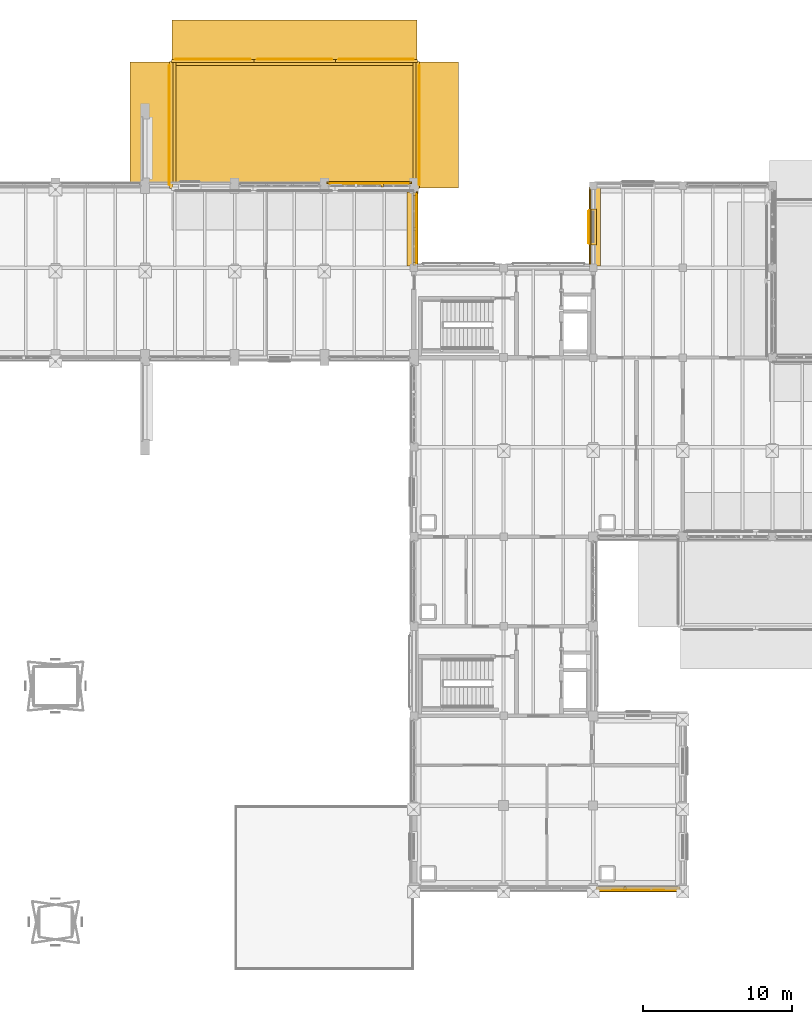
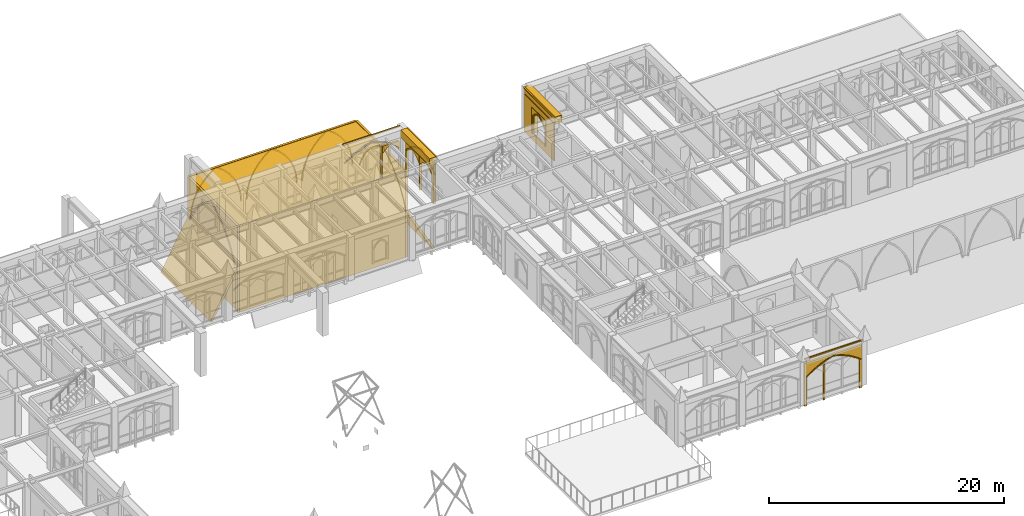
# One storey, part 135 of 143: 34 coverings.
"""IFC4 building model written with IfcOpenShell, lengths in metres."""

from ifc_helpers import new_model, si_unit, direction, frame, origin, origin_2d, place, context, subcontext, project, spatial, polyline, rectangle, outline, extrude, material, type_object, element, save


model = new_model("IFC4")

# Units and contexts
model_context = context("Model", 3, precision=1e-05, world=origin(), true_north=direction((0.0, 1.0)))
body_context = subcontext(model_context, "Body", "Model", "MODEL_VIEW")
ifc_project = project(units=[si_unit("LENGTHUNIT", "METRE"), si_unit("AREAUNIT", "SQUARE_METRE"), si_unit("VOLUMEUNIT", "CUBIC_METRE"), si_unit("PLANEANGLEUNIT", "RADIAN"), si_unit("MASSUNIT", "GRAM", prefix="KILO")], contexts=[model_context])

# Site, building, storey
site_placement = place(None, origin())
site = spatial("IfcSite", under=ifc_project, at=site_placement, CompositionType="ELEMENT")
building_placement = place(site_placement, origin())
building = spatial("IfcBuilding", under=site, at=building_placement, Name="Cumevento Cable Car Station", CompositionType="ELEMENT")
storey_placement = place(building_placement, frame((0.0, 0.0, 9.0)))
storey = spatial("IfcBuildingStorey", under=building, at=storey_placement, Name="L03", CompositionType="ELEMENT", Elevation=9.0)

# Coverings
ifc_material = material(Name="Gnaisse Facoidal Stone Ashlar 85 MPa", Category="masonry")
covering_type = type_object("IfcCoveringType", Name="Gnaisse Ashlar Cladding CV-CL01", PredefinedType="CLADDING", material=ifc_material)
covering_1_placement = place(storey_placement, frame((115.0, 56.70751953125, 4.402099609375), z_axis=(0.0, 0.0, 1.0), x_axis=(1.0, 0.0, 0.0)))
element("IfcCovering", 1, at=covering_1_placement, inside=storey, type_object=covering_type, Name="Gothic Cornice Dripstone Lip sc:0656", PredefinedType="CLADDING", context=body_context, shape_type="SweptSolid", body=[
    extrude(rectangle(XDim=5.679931640625, YDim=0.114990234375, at=origin_2d()), origin(), (0.0, 0.0, 1.0), 0.1298828125),
])
covering_2_placement = place(storey_placement, frame((117.85009765625, 53.612548828125, 3.784912109375), z_axis=(0.0, 0.0, 1.0), x_axis=(0.0, -1.0, 0.0)))
element("IfcCovering", 2, at=covering_2_placement, inside=storey, type_object=covering_type, Name="Gothic Stone Spandrel Stringcourse sc:0657", PredefinedType="CLADDING", context=body_context, shape_type="SweptSolid", body=[
    extrude(rectangle(XDim=4.965087890625, YDim=0.659912109375, at=origin_2d()), origin(), (0.0, 0.0, 1.0), 0.7470703125),
])
covering_3_placement = place(storey_placement, frame((118.20751953125, 53.612548828125, 4.402099609375), z_axis=(0.0, 0.0, 1.0), x_axis=(0.0, -1.0, 0.0)))
element("IfcCovering", 3, at=covering_3_placement, inside=storey, type_object=covering_type, Name="Gothic Cornice Dripstone Lip sc:0657", PredefinedType="CLADDING", context=body_context, shape_type="SweptSolid", body=[
    extrude(rectangle(XDim=5.0048828125, YDim=0.114990234375, at=origin_2d()), origin(), (0.0, 0.0, 1.0), 0.1298828125),
])
covering_4_placement = place(storey_placement, frame((133.012451171875, 9.29248046875, 4.650146484375), z_axis=(0.0, 0.0, 1.0), x_axis=(-1.0, 0.0, 0.0)))
element("IfcCovering", 4, at=covering_4_placement, inside=storey, type_object=covering_type, Name="Gothic Cornice Dripstone Lip sc:0667", PredefinedType="CLADDING", context=body_context, shape_type="SweptSolid", body=[
    extrude(rectangle(XDim=5.7548828125, YDim=0.114990234375, at=origin_2d()), origin(), (0.0, 0.0, 1.0), 0.1298828125),
])
covering_5_placement = place(storey_placement, frame((130.14990234375, 53.75, 3.796875), z_axis=(0.0, 0.0, 1.0), x_axis=(0.0, 1.0, 0.0)))
element("IfcCovering", 5, at=covering_5_placement, inside=storey, type_object=covering_type, Name="Gothic Stone Spandrel Stringcourse sc:0695", PredefinedType="CLADDING", context=body_context, shape_type="SweptSolid", body=[
    extrude(rectangle(XDim=5.239990234375, YDim=0.659912109375, at=origin_2d()), origin(), (0.0, 0.0, 1.0), 0.7470703125),
])
covering_6_placement = place(storey_placement, frame((129.79248046875, 53.75, 4.4140625), z_axis=(0.0, 0.0, 1.0), x_axis=(0.0, 1.0, 0.0)))
element("IfcCovering", 6, at=covering_6_placement, inside=storey, type_object=covering_type, Name="Gothic Cornice Dripstone Lip sc:0695", PredefinedType="CLADDING", context=body_context, shape_type="SweptSolid", body=[
    extrude(rectangle(XDim=5.280029296875, YDim=0.114990234375, at=origin_2d()), origin(), (0.0, 0.0, 1.0), 0.1298828125),
])
covering_7_placement = place(storey_placement, frame((112.300048828125, 56.5, 2.572509765625), z_axis=(0.0, 0.0, 1.0), x_axis=(1.0, 0.0, 0.0)))
element("IfcCovering", 7, at=covering_7_placement, inside=storey, type_object=covering_type, Name="Gothic Pointed Archivolt Hood Moulding cw_ogival:0115", PredefinedType="CLADDING", context=body_context, shape_type="SweptSolid", body=[
    extrude(outline(polyline([(0.159912109375, 0.0), (0.4501953125, 0.197265625), (0.74951171875, 0.38037109375), (1.057373046875, 0.54833984375), (1.373291015625, 0.701171875), (1.6962890625, 0.838134765625), (2.025634765625, 0.95947265625), (2.3603515625, 1.064208984375), (2.699951171875, 1.152587890625), (3.03955078125, 1.064208984375), (3.374267578125, 0.95947265625), (3.70361328125, 0.838134765625), (4.026611328125, 0.701171875), (4.342529296875, 0.54833984375), (4.650390625, 0.38037109375), (4.94970703125, 0.197265625), (5.239990234375, 0.0), (5.35009765625, 0.0), (5.05126953125, 0.22021484375), (4.741455078125, 0.424560546875), (4.421630859375, 0.612548828125), (4.09228515625, 0.78369140625), (3.754638671875, 0.937255859375), (3.409423828125, 1.0732421875), (3.057373046875, 1.19091796875), (2.699951171875, 1.2900390625), (2.342529296875, 1.19091796875), (1.990478515625, 1.0732421875), (1.645263671875, 0.937255859375), (1.3076171875, 0.78369140625), (0.978271484375, 0.612548828125), (0.658447265625, 0.424560546875), (0.3486328125, 0.22021484375), (0.050048828125, 0.0), (0.159912109375, 0.0)])), frame((0.0, 0.181884765625, 0.0), z_axis=(0.0, -1.0, 0.0), x_axis=(1.0, 0.0, 0.0)), (0.0, 0.0, 1.0), 0.06689453125),
])
covering_8_placement = place(storey_placement, frame((112.300048828125, 56.5, -0.3701171875), z_axis=(0.0, 0.0, 1.0), x_axis=(1.0, 0.0, 0.0)))
element("IfcCovering", 8, at=covering_8_placement, inside=storey, type_object=covering_type, Name="Gothic Bifora Stone Colonnette cw_ogival:0115 #2", PredefinedType="CLADDING", context=body_context, shape_type="SweptSolid", body=[
    extrude(outline(polyline([(3.49658203125, -0.02001953125), (3.646728515625, -0.02001953125), (3.646728515625, 3.541748046875), (3.49658203125, 3.541748046875), (3.49658203125, -0.02001953125)])), frame((0.0, 0.1279296875, 0.0), z_axis=(0.0, -1.0, 0.0), x_axis=(1.0, 0.0, 0.0)), (0.0, 0.0, 1.0), 0.205078125),
])
covering_9_placement = place(storey_placement, frame((115.916748046875, 56.5, 2.392333984375), z_axis=(0.0, 0.0, 1.0), x_axis=(1.0, 0.0, 0.0)))
element("IfcCovering", 9, at=covering_9_placement, inside=storey, type_object=covering_type, Name="Gothic Ogival Pointed-Arch Stone Spandrel cw_ogival:0115:sub:2", PredefinedType="CLADDING", context=body_context, shape_type="SweptSolid", body=[
    extrude(outline(polyline([(-0.02001953125, 0.0), (-0.02001953125, 0.779296875), (1.67333984375, 0.779296875), (1.67333984375, 0.0), (1.61328125, 0.0), (1.51416015625, 0.14306640625), (1.400390625, 0.274658203125), (1.2734375, 0.393310546875), (1.13427734375, 0.497802734375), (0.98486328125, 0.5869140625), (0.82666015625, 0.659423828125), (0.66845703125, 0.5869140625), (0.51904296875, 0.497802734375), (0.3798828125, 0.393310546875), (0.2529296875, 0.274658203125), (0.13916015625, 0.14306640625), (0.0400390625, 0.0), (-0.02001953125, 0.0)])), frame((0.0, 0.1240234375, 0.0), z_axis=(0.0, -1.0, 0.0), x_axis=(1.0, 0.0, 0.0)), (0.0, 0.0, 1.0), 0.199951171875),
])
placement_1 = place(storey_placement, frame((118.0, 55.97509765625, -0.320068359375), z_axis=(0.0, 0.0, 1.0), x_axis=(0.0, -1.0, 0.0)))
element("IfcCovering", 10, at=placement_1, inside=storey, type_object=covering_type, Name="Gothic Ogival Pointed-Arch Stone Spandrel cw_ogival:0116", PredefinedType="CLADDING", context=body_context, shape_type="SweptSolid", body=[
    extrude(outline(polyline([(-0.080078125, 0.0), (-0.080078125, 4.2451171875), (4.804931640625, 4.2451171875), (4.804931640625, 0.0), (4.56494140625, 0.0), (4.56494140625, 2.910400390625), (4.31982421875, 3.103515625), (4.064453125, 3.282958984375), (3.799560546875, 3.4482421875), (3.526123046875, 3.5986328125), (3.244873046875, 3.73388671875), (2.95654296875, 3.853759765625), (2.662109375, 3.95751953125), (2.362548828125, 4.044921875), (2.06298828125, 3.95751953125), (1.7685546875, 3.853759765625), (1.480224609375, 3.73388671875), (1.198974609375, 3.5986328125), (0.925537109375, 3.4482421875), (0.66064453125, 3.282958984375), (0.4052734375, 3.103515625), (0.159912109375, 2.910400390625), (0.159912109375, 0.0), (-0.080078125, 0.0)])), frame((0.0, 0.139892578125, 0.0), z_axis=(0.0, -1.0, 0.0), x_axis=(1.0, 0.0, 0.0)), (0.0, 0.0, 1.0), 0.219970703125),
])
covering_11_placement = place(storey_placement, frame((118.0, 55.97509765625, 2.59033203125), z_axis=(0.0, 0.0, 1.0), x_axis=(0.0, -1.0, 0.0)))
element("IfcCovering", 11, at=covering_11_placement, inside=storey, type_object=covering_type, Name="Gothic Pointed Archivolt Hood Moulding cw_ogival:0116", PredefinedType="CLADDING", context=body_context, shape_type="SweptSolid", body=[
    extrude(outline(polyline([(0.159912109375, 0.0), (0.4052734375, 0.193115234375), (0.66064453125, 0.37255859375), (0.925537109375, 0.537841796875), (1.198974609375, 0.688232421875), (1.480224609375, 0.823486328125), (1.7685546875, 0.943359375), (2.06298828125, 1.047119140625), (2.362548828125, 1.134521484375), (2.662109375, 1.047119140625), (2.95654296875, 0.943359375), (3.244873046875, 0.823486328125), (3.526123046875, 0.688232421875), (3.799560546875, 0.537841796875), (4.064453125, 0.37255859375), (4.31982421875, 0.193115234375), (4.56494140625, 0.0), (4.675048828125, 0.0), (4.421630859375, 0.2158203125), (4.15625, 0.41650390625), (3.879638671875, 0.6015625), (3.5927734375, 0.7705078125), (3.296630859375, 0.92236328125), (2.9921875, 1.056884765625), (2.680419921875, 1.173583984375), (2.362548828125, 1.272216796875), (2.044677734375, 1.173583984375), (1.73291015625, 1.056884765625), (1.428466796875, 0.92236328125), (1.13232421875, 0.7705078125), (0.845458984375, 0.6015625), (0.56884765625, 0.41650390625), (0.303466796875, 0.2158203125), (0.050048828125, 0.0), (0.159912109375, 0.0)])), frame((0.0, 0.181884765625, 0.0), z_axis=(0.0, -1.0, 0.0), x_axis=(1.0, 0.0, 0.0)), (0.0, 0.0, 1.0), 0.06689453125),
])
element("IfcCovering", 12, at=placement_1, inside=storey, type_object=covering_type, Name="Gothic Bifora Stone Colonnette cw_ogival:0116 #1", PredefinedType="CLADDING", context=body_context, shape_type="SweptSolid", body=[
    extrude(outline(polyline([(2.28759765625, -0.02001953125), (2.4375, -0.02001953125), (2.4375, 3.50048828125), (2.28759765625, 3.50048828125), (2.28759765625, -0.02001953125)])), frame((0.0, 0.1279296875, 0.0), z_axis=(0.0, -1.0, 0.0), x_axis=(1.0, 0.0, 0.0)), (0.0, 0.0, 1.0), 0.205078125),
])
for number, where, z_axis, x_axis, name in (
    (13, (118.0, 55.844970703125, 2.410400390625), (0.0, 0.0, 1.0), (0.0, -1.0, 0.0), "Gothic Ogival Pointed-Arch Stone Spandrel cw_ogival:0116:sub:0"),
    (14, (118.0, 53.5673828125, 2.410400390625), (0.0, 0.0, 1.0), (0.0, -1.0, 0.0), "Gothic Ogival Pointed-Arch Stone Spandrel cw_ogival:0116:sub:1"),
):
    element("IfcCovering", number, at=place(storey_placement, frame(where, z_axis=z_axis, x_axis=x_axis)), inside=storey, type_object=covering_type, Name=name, PredefinedType="CLADDING", context=body_context, shape_type="SweptSolid", body=[
        extrude(outline(polyline([(-0.02001953125, 0.0), (-0.02001953125, 0.77001953125), (2.20751953125, 0.77001953125), (2.20751953125, 0.0), (2.1474609375, 0.0), (1.9970703125, 0.144287109375), (1.8349609375, 0.275390625), (1.662109375, 0.392333984375), (1.480224609375, 0.494140625), (1.290283203125, 0.580322265625), (1.09375, 0.64990234375), (0.897216796875, 0.580322265625), (0.707275390625, 0.494140625), (0.525390625, 0.392333984375), (0.3525390625, 0.275390625), (0.1904296875, 0.144287109375), (0.0400390625, 0.0), (-0.02001953125, 0.0)])), frame((0.0, 0.1240234375, 0.0), z_axis=(0.0, -1.0, 0.0), x_axis=(1.0, 0.0, 0.0)), (0.0, 0.0, 1.0), 0.199951171875),
    ])
placement_2 = place(storey_placement, frame((135.75, 9.5, -0.27001953125), z_axis=(0.0, 0.0, 1.0), x_axis=(-1.0, 0.0, 0.0)))
element("IfcCovering", 15, at=placement_2, inside=storey, type_object=covering_type, Name="Gothic Ogival Pointed-Arch Stone Spandrel cw_ogival:0125", PredefinedType="CLADDING", context=body_context, shape_type="SweptSolid", body=[
    extrude(outline(polyline([(-0.080078125, 0.0), (-0.080078125, 4.443115234375), (5.554931640625, 4.443115234375), (5.554931640625, 0.0), (5.31494140625, 0.0), (5.31494140625, 3.037109375), (5.0224609375, 3.243408203125), (4.7197265625, 3.4345703125), (4.40771484375, 3.6103515625), (4.087158203125, 3.770263671875), (3.75927734375, 3.913818359375), (3.42431640625, 4.04052734375), (3.08349609375, 4.150390625), (2.737548828125, 4.242919921875), (2.3916015625, 4.150390625), (2.05078125, 4.04052734375), (1.7158203125, 3.913818359375), (1.387939453125, 3.770263671875), (1.0673828125, 3.6103515625), (0.75537109375, 3.4345703125), (0.45263671875, 3.243408203125), (0.159912109375, 3.037109375), (0.159912109375, 0.0), (-0.080078125, 0.0)])), frame((0.0, 0.139892578125, 0.0), z_axis=(0.0, -1.0, 0.0), x_axis=(1.0, 0.0, 0.0)), (0.0, 0.0, 1.0), 0.219970703125),
])
covering_14_placement = place(storey_placement, frame((135.75, 9.5, 2.76708984375), z_axis=(0.0, 0.0, 1.0), x_axis=(-1.0, 0.0, 0.0)))
element("IfcCovering", 16, at=covering_14_placement, inside=storey, type_object=covering_type, Name="Gothic Pointed Archivolt Hood Moulding cw_ogival:0125", PredefinedType="CLADDING", context=body_context, shape_type="SweptSolid", body=[
    extrude(outline(polyline([(0.159912109375, 0.0), (0.45263671875, 0.206298828125), (0.75537109375, 0.3974609375), (1.0673828125, 0.5732421875), (1.387939453125, 0.733154296875), (1.7158203125, 0.876708984375), (2.05078125, 1.00341796875), (2.3916015625, 1.11328125), (2.737548828125, 1.205810546875), (3.08349609375, 1.11328125), (3.42431640625, 1.00341796875), (3.75927734375, 0.876708984375), (4.087158203125, 0.733154296875), (4.40771484375, 0.5732421875), (4.7197265625, 0.3974609375), (5.0224609375, 0.206298828125), (5.31494140625, 0.0), (5.425048828125, 0.0), (5.123779296875, 0.22900390625), (4.81103515625, 0.441650390625), (4.487060546875, 0.637451171875), (4.1533203125, 0.8154296875), (3.810302734375, 0.9755859375), (3.45947265625, 1.1171875), (3.1015625, 1.239990234375), (2.737548828125, 1.343505859375), (2.37353515625, 1.239990234375), (2.015625, 1.1171875), (1.664794921875, 0.9755859375), (1.32177734375, 0.8154296875), (0.988037109375, 0.637451171875), (0.6640625, 0.441650390625), (0.351318359375, 0.22900390625), (0.050048828125, 0.0), (0.159912109375, 0.0)])), frame((0.0, 0.181884765625, 0.0), z_axis=(0.0, -1.0, 0.0), x_axis=(1.0, 0.0, 0.0)), (0.0, 0.0, 1.0), 0.06689453125),
])
element("IfcCovering", 17, at=placement_2, inside=storey, type_object=covering_type, Name="Gothic Bifora Stone Colonnette cw_ogival:0125 #2", PredefinedType="CLADDING", context=body_context, shape_type="SweptSolid", body=[
    extrude(outline(polyline([(3.546630859375, -0.02001953125), (3.69677734375, -0.02001953125), (3.69677734375, 3.664306640625), (3.546630859375, 3.664306640625), (3.546630859375, -0.02001953125)])), frame((0.0, 0.1279296875, 0.0), z_axis=(0.0, -1.0, 0.0), x_axis=(1.0, 0.0, 0.0)), (0.0, 0.0, 1.0), 0.205078125),
])
covering_16_placement = place(storey_placement, frame((130.0, 51.25, 0.0), z_axis=(0.0, 0.0, 1.0), x_axis=(0.0, 1.0, 0.0)))
element("IfcCovering", 18, at=covering_16_placement, inside=storey, type_object=covering_type, Name="Exterior Gnaisse Stone Wall Ashlar #262", PredefinedType="CLADDING", context=body_context, shape_type="SweptSolid", body=[
    extrude(outline(polyline([(-0.0400390625, -0.02001953125), (5.0400390625, -0.02001953125), (5.0400390625, 3.876953125), (-0.0400390625, 3.876953125), (-0.0400390625, -0.02001953125)]), holes=[polyline([(1.485107421875, 0.7099609375), (3.514892578125, 0.7099609375), (3.514892578125, 3.090087890625), (1.485107421875, 3.090087890625), (1.485107421875, 0.7099609375)])]), frame((0.0, 0.2451171875, 0.0), z_axis=(0.0, -1.0, 0.0), x_axis=(1.0, 0.0, 0.0)), (0.0, 0.0, 1.0), 0.0849609375),
])
covering_17_placement = place(storey_placement, frame((130.0, 52.5849609375, 0.64990234375), z_axis=(0.0, 0.0, 1.0), x_axis=(0.0, 1.0, 0.0)))
element("IfcCovering", 19, at=covering_17_placement, inside=storey, type_object=covering_type, Name="Gothic Ogival Pointed-Arch Stone Spandrel op_ogival:0262:1", PredefinedType="CLADDING", context=body_context, shape_type="SweptSolid", body=[
    extrude(outline(polyline([(-0.0400390625, 0.0), (-0.0400390625, 2.669921875), (2.3701171875, 2.669921875), (2.3701171875, 0.0), (2.18994140625, 0.0), (2.18994140625, 1.778076171875), (2.0703125, 1.913330078125), (1.9404296875, 2.03857421875), (1.80078125, 2.153076171875), (1.65234375, 2.256103515625), (1.496337890625, 2.3466796875), (1.33349609375, 2.425048828125), (1.1650390625, 2.489990234375), (0.99658203125, 2.425048828125), (0.833740234375, 2.3466796875), (0.677734375, 2.256103515625), (0.529296875, 2.153076171875), (0.3896484375, 2.03857421875), (0.259765625, 1.913330078125), (0.139892578125, 1.778076171875), (0.139892578125, 0.0), (-0.0400390625, 0.0)])), frame((0.0, 0.282958984375, 0.0), z_axis=(0.0, -1.0, 0.0), x_axis=(1.0, 0.0, 0.0)), (0.0, 0.0, 1.0), 0.52001953125),
])
covering_18_placement = place(storey_placement, frame((130.0, 52.5849609375, 2.427978515625), z_axis=(0.0, 0.0, 1.0), x_axis=(0.0, 1.0, 0.0)))
element("IfcCovering", 20, at=covering_18_placement, inside=storey, type_object=covering_type, Name="Gothic Pointed Archivolt Hood Moulding op_ogival:0262:1", PredefinedType="CLADDING", context=body_context, shape_type="SweptSolid", body=[
    extrude(outline(polyline([(0.139892578125, 0.0), (0.259765625, 0.13525390625), (0.3896484375, 0.260498046875), (0.529296875, 0.375), (0.677734375, 0.47802734375), (0.833740234375, 0.56884765625), (0.99658203125, 0.64697265625), (1.1650390625, 0.7119140625), (1.33349609375, 0.64697265625), (1.496337890625, 0.56884765625), (1.65234375, 0.47802734375), (1.80078125, 0.375), (1.9404296875, 0.260498046875), (2.0703125, 0.13525390625), (2.18994140625, 0.0), (2.2890625, 0.0), (2.16162109375, 0.157958984375), (2.021240234375, 0.304443359375), (1.869140625, 0.43896484375), (1.706298828125, 0.56005859375), (1.533935546875, 0.6669921875), (1.35302734375, 0.759033203125), (1.1650390625, 0.835693359375), (0.97705078125, 0.759033203125), (0.796142578125, 0.6669921875), (0.623779296875, 0.56005859375), (0.4609375, 0.43896484375), (0.308837890625, 0.304443359375), (0.16845703125, 0.157958984375), (0.041015625, 0.0), (0.139892578125, 0.0)])), frame((0.0, 0.324951171875, 0.0), z_axis=(0.0, -1.0, 0.0), x_axis=(1.0, 0.0, 0.0)), (0.0, 0.0, 1.0), 0.06689453125),
])
covering_19_placement = place(storey_placement, frame((0.0, 0.0, -9.080078125)))
element("IfcCovering", 21, at=covering_19_placement, inside=storey, type_object=covering_type, Name="Stepped Gnaisse Hillside Terrain Shoulder SLOPE_NE_E.1", PredefinedType="CLADDING", context=body_context, shape_type="SweptSolid", body=[
    extrude(outline(polyline([(101.800048828125, 56.35009765625), (101.800048828125, 64.800048828125), (118.199951171875, 64.800048828125), (118.199951171875, 56.35009765625), (101.800048828125, 56.35009765625)])), origin(), (0.0, 0.0, 1.0), 9.02001953125),
])
covering_20_placement = place(storey_placement, frame((118.199951171875, 64.800048828125, -9.02001953125), z_axis=(0.0, 0.0, 1.0), x_axis=(0.0, -1.0, 0.0)))
element("IfcCovering", 22, at=covering_20_placement, inside=storey, type_object=covering_type, Name="Gothic Ogival Pointed-Arch Stone Spandrel cumevento_plinth:bank_arch:SLOPE_NE_E:E:0", PredefinedType="CLADDING", context=body_context, shape_type="SweptSolid", body=[
    extrude(outline(polyline([(-0.030029296875, 0.0), (-0.030029296875, 8.97998046875), (8.47998046875, 8.97998046875), (8.47998046875, 0.0), (8.1298828125, 0.0), (8.1298828125, 4.47998046875), (7.725830078125, 5.382568359375), (7.210205078125, 6.226318359375), (6.591552734375, 6.997802734375), (5.8798828125, 7.6845703125), (5.086669921875, 8.27490234375), (4.22509765625, 8.760009765625), (3.36328125, 8.27490234375), (2.570068359375, 7.6845703125), (1.8583984375, 6.997802734375), (1.23974609375, 6.226318359375), (0.72412109375, 5.382568359375), (0.320068359375, 4.47998046875), (0.320068359375, 0.0), (-0.030029296875, 0.0)])), frame((0.0, 0.159912109375, 0.0), z_axis=(0.0, -1.0, 0.0), x_axis=(1.0, 0.0, 0.0)), (0.0, 0.0, 1.0), 0.219970703125),
])
covering_21_placement = place(storey_placement, frame((118.199951171875, 64.800048828125, -4.5400390625), z_axis=(0.0, 0.0, 1.0), x_axis=(0.0, -1.0, 0.0)))
element("IfcCovering", 23, at=covering_21_placement, inside=storey, type_object=covering_type, Name="Gothic Pointed Archivolt Hood Moulding cumevento_plinth:bank_arch:SLOPE_NE_E:E:0", PredefinedType="CLADDING", context=body_context, shape_type="SweptSolid", body=[
    extrude(outline(polyline([(0.320068359375, 0.0), (0.72412109375, 0.902587890625), (1.23974609375, 1.746337890625), (1.8583984375, 2.517822265625), (2.570068359375, 3.20458984375), (3.36328125, 3.794921875), (4.22509765625, 4.280029296875), (5.086669921875, 3.794921875), (5.8798828125, 3.20458984375), (6.591552734375, 2.517822265625), (7.210205078125, 1.746337890625), (7.725830078125, 0.902587890625), (8.1298828125, 0.0), (8.2509765625, 0.0), (7.8359375, 0.93408203125), (7.305419921875, 1.807373046875), (6.66796875, 2.606201171875), (5.933837890625, 3.317138671875), (5.114990234375, 3.928955078125), (4.22509765625, 4.43115234375), (3.3349609375, 3.928955078125), (2.51611328125, 3.317138671875), (1.781982421875, 2.606201171875), (1.14453125, 1.807373046875), (0.614013671875, 0.93408203125), (0.198974609375, 0.0), (0.320068359375, 0.0)])), frame((0.0, 0.201904296875, 0.0), z_axis=(0.0, -1.0, 0.0), x_axis=(1.0, 0.0, 0.0)), (0.0, 0.0, 1.0), 0.06689453125),
])
covering_22_placement = place(storey_placement, frame((121.0, 56.35009765625, -9.0400390625), z_axis=(0.876739812589, 0.0, 0.480964968601), x_axis=(0.0, 1.0, 0.0)))
element("IfcCovering", 24, at=covering_22_placement, inside=storey, type_object=covering_type, Name="Sloped Gnaisse Hillside Talus SLOPE_NE_E E", PredefinedType="CLADDING", context=body_context, shape_type="SweptSolid", body=[
    extrude(outline(polyline([(0.0, 0.0), (8.449951171875, 0.0), (8.449951171875, 5.946602369384605), (0.0, 5.946602369384605), (0.0, 0.0)])), origin(), (0.0, 0.0, -1.0), 0.219970703125),
])
covering_23_placement = place(storey_placement, frame((112.7333984375, 64.800048828125, -9.02001953125), z_axis=(0.0, 0.0, 1.0), x_axis=(1.0, 0.0, 0.0)))
element("IfcCovering", 25, at=covering_23_placement, inside=storey, type_object=covering_type, Name="Gothic Ogival Pointed-Arch Stone Spandrel cumevento_plinth:bank_arch:SLOPE_NE_E:N:0", PredefinedType="CLADDING", context=body_context, shape_type="SweptSolid", body=[
    extrude(outline(polyline([(-0.030029296875, 0.0), (-0.030029296875, 8.97998046875), (5.49658203125, 8.97998046875), (5.49658203125, 0.0), (5.146728515625, 0.0), (5.146728515625, 4.47998046875), (5.073486328125, 5.331787109375), (4.8564453125, 6.158935546875), (4.501708984375, 6.936767578125), (4.01953125, 7.642822265625), (3.42431640625, 8.256591796875), (2.7333984375, 8.760009765625), (2.042236328125, 8.256591796875), (1.447021484375, 7.642822265625), (0.96484375, 6.936767578125), (0.610107421875, 6.158935546875), (0.39306640625, 5.331787109375), (0.320068359375, 4.47998046875), (0.320068359375, 0.0), (-0.030029296875, 0.0)])), frame((0.0, 0.159912109375, 0.0), z_axis=(0.0, -1.0, 0.0), x_axis=(1.0, 0.0, 0.0)), (0.0, 0.0, 1.0), 0.219970703125),
])
covering_24_placement = place(storey_placement, frame((112.7333984375, 64.800048828125, -4.5400390625), z_axis=(0.0, 0.0, 1.0), x_axis=(1.0, 0.0, 0.0)))
element("IfcCovering", 26, at=covering_24_placement, inside=storey, type_object=covering_type, Name="Gothic Pointed Archivolt Hood Moulding cumevento_plinth:bank_arch:SLOPE_NE_E:N:0", PredefinedType="CLADDING", context=body_context, shape_type="SweptSolid", body=[
    extrude(outline(polyline([(0.320068359375, 0.0), (0.39306640625, 0.851806640625), (0.610107421875, 1.678955078125), (0.96484375, 2.456787109375), (1.447021484375, 3.162841796875), (2.042236328125, 3.776611328125), (2.7333984375, 4.280029296875), (3.42431640625, 3.776611328125), (4.01953125, 3.162841796875), (4.501708984375, 2.456787109375), (4.8564453125, 1.678955078125), (5.073486328125, 0.851806640625), (5.146728515625, 0.0), (5.267578125, 0.0), (5.190673828125, 0.885986328125), (4.962158203125, 1.7451171875), (4.589111328125, 2.552490234375), (4.082763671875, 3.283203125), (3.457763671875, 3.915771484375), (2.7333984375, 4.43115234375), (2.0087890625, 3.915771484375), (1.3837890625, 3.283203125), (0.87744140625, 2.552490234375), (0.50439453125, 1.7451171875), (0.27587890625, 0.885986328125), (0.198974609375, 0.0), (0.320068359375, 0.0)])), frame((0.0, 0.201904296875, 0.0), z_axis=(0.0, -1.0, 0.0), x_axis=(1.0, 0.0, 0.0)), (0.0, 0.0, 1.0), 0.06689453125),
])
covering_25_placement = place(storey_placement, frame((107.2666015625, 64.800048828125, -9.02001953125), z_axis=(0.0, 0.0, 1.0), x_axis=(1.0, 0.0, 0.0)))
element("IfcCovering", 27, at=covering_25_placement, inside=storey, type_object=covering_type, Name="Gothic Ogival Pointed-Arch Stone Spandrel cumevento_plinth:bank_arch:SLOPE_NE_E:N:1", PredefinedType="CLADDING", context=body_context, shape_type="SweptSolid", body=[
    extrude(outline(polyline([(-0.030029296875, 0.0), (-0.030029296875, 8.97998046875), (5.49658203125, 8.97998046875), (5.49658203125, 0.0), (5.146728515625, 0.0), (5.146728515625, 4.47998046875), (5.073486328125, 5.331787109375), (4.8564453125, 6.158935546875), (4.501708984375, 6.936767578125), (4.01953125, 7.642822265625), (3.42431640625, 8.256591796875), (2.7333984375, 8.760009765625), (2.042236328125, 8.256591796875), (1.447021484375, 7.642822265625), (0.96484375, 6.936767578125), (0.610107421875, 6.158935546875), (0.39306640625, 5.331787109375), (0.320068359375, 4.47998046875), (0.320068359375, 0.0), (-0.030029296875, 0.0)])), frame((0.0, 0.159912109375, 0.0), z_axis=(0.0, -1.0, 0.0), x_axis=(1.0, 0.0, 0.0)), (0.0, 0.0, 1.0), 0.219970703125),
])
covering_26_placement = place(storey_placement, frame((107.2666015625, 64.800048828125, -4.5400390625), z_axis=(0.0, 0.0, 1.0), x_axis=(1.0, 0.0, 0.0)))
element("IfcCovering", 28, at=covering_26_placement, inside=storey, type_object=covering_type, Name="Gothic Pointed Archivolt Hood Moulding cumevento_plinth:bank_arch:SLOPE_NE_E:N:1", PredefinedType="CLADDING", context=body_context, shape_type="SweptSolid", body=[
    extrude(outline(polyline([(0.320068359375, 0.0), (0.39306640625, 0.851806640625), (0.610107421875, 1.678955078125), (0.96484375, 2.456787109375), (1.447021484375, 3.162841796875), (2.042236328125, 3.776611328125), (2.7333984375, 4.280029296875), (3.42431640625, 3.776611328125), (4.01953125, 3.162841796875), (4.501708984375, 2.456787109375), (4.8564453125, 1.678955078125), (5.073486328125, 0.851806640625), (5.146728515625, 0.0), (5.267578125, 0.0), (5.190673828125, 0.885986328125), (4.962158203125, 1.7451171875), (4.589111328125, 2.552490234375), (4.082763671875, 3.283203125), (3.457763671875, 3.915771484375), (2.7333984375, 4.43115234375), (2.0087890625, 3.915771484375), (1.3837890625, 3.283203125), (0.87744140625, 2.552490234375), (0.50439453125, 1.7451171875), (0.27587890625, 0.885986328125), (0.198974609375, 0.0), (0.320068359375, 0.0)])), frame((0.0, 0.201904296875, 0.0), z_axis=(0.0, -1.0, 0.0), x_axis=(1.0, 0.0, 0.0)), (0.0, 0.0, 1.0), 0.06689453125),
])
covering_27_placement = place(storey_placement, frame((101.800048828125, 64.800048828125, -9.02001953125), z_axis=(0.0, 0.0, 1.0), x_axis=(1.0, 0.0, 0.0)))
element("IfcCovering", 29, at=covering_27_placement, inside=storey, type_object=covering_type, Name="Gothic Ogival Pointed-Arch Stone Spandrel cumevento_plinth:bank_arch:SLOPE_NE_E:N:2", PredefinedType="CLADDING", context=body_context, shape_type="SweptSolid", body=[
    extrude(outline(polyline([(-0.030029296875, 0.0), (-0.030029296875, 8.97998046875), (5.49658203125, 8.97998046875), (5.49658203125, 0.0), (5.146728515625, 0.0), (5.146728515625, 4.47998046875), (5.073486328125, 5.331787109375), (4.8564453125, 6.158935546875), (4.501708984375, 6.936767578125), (4.01953125, 7.642822265625), (3.42431640625, 8.256591796875), (2.7333984375, 8.760009765625), (2.042236328125, 8.256591796875), (1.447021484375, 7.642822265625), (0.96484375, 6.936767578125), (0.610107421875, 6.158935546875), (0.39306640625, 5.331787109375), (0.320068359375, 4.47998046875), (0.320068359375, 0.0), (-0.030029296875, 0.0)])), frame((0.0, 0.159912109375, 0.0), z_axis=(0.0, -1.0, 0.0), x_axis=(1.0, 0.0, 0.0)), (0.0, 0.0, 1.0), 0.219970703125),
])
covering_28_placement = place(storey_placement, frame((101.800048828125, 64.800048828125, -4.5400390625), z_axis=(0.0, 0.0, 1.0), x_axis=(1.0, 0.0, 0.0)))
element("IfcCovering", 30, at=covering_28_placement, inside=storey, type_object=covering_type, Name="Gothic Pointed Archivolt Hood Moulding cumevento_plinth:bank_arch:SLOPE_NE_E:N:2", PredefinedType="CLADDING", context=body_context, shape_type="SweptSolid", body=[
    extrude(outline(polyline([(0.320068359375, 0.0), (0.39306640625, 0.851806640625), (0.610107421875, 1.678955078125), (0.96484375, 2.456787109375), (1.447021484375, 3.162841796875), (2.042236328125, 3.776611328125), (2.7333984375, 4.280029296875), (3.42431640625, 3.776611328125), (4.01953125, 3.162841796875), (4.501708984375, 2.456787109375), (4.8564453125, 1.678955078125), (5.073486328125, 0.851806640625), (5.146728515625, 0.0), (5.267578125, 0.0), (5.190673828125, 0.885986328125), (4.962158203125, 1.7451171875), (4.589111328125, 2.552490234375), (4.082763671875, 3.283203125), (3.457763671875, 3.915771484375), (2.7333984375, 4.43115234375), (2.0087890625, 3.915771484375), (1.3837890625, 3.283203125), (0.87744140625, 2.552490234375), (0.50439453125, 1.7451171875), (0.27587890625, 0.885986328125), (0.198974609375, 0.0), (0.320068359375, 0.0)])), frame((0.0, 0.201904296875, 0.0), z_axis=(0.0, -1.0, 0.0), x_axis=(1.0, 0.0, 0.0)), (0.0, 0.0, 1.0), 0.06689453125),
])
covering_29_placement = place(storey_placement, frame((118.199951171875, 67.60009765625, -9.0400390625), z_axis=(0.0, 0.876739812589, 0.480964968601), x_axis=(-1.0, 0.0, 0.0)))
element("IfcCovering", 31, at=covering_29_placement, inside=storey, type_object=covering_type, Name="Sloped Gnaisse Hillside Talus SLOPE_NE_E N", PredefinedType="CLADDING", context=body_context, shape_type="SweptSolid", body=[
    extrude(outline(polyline([(0.0, 0.0), (16.39990234375, 0.0), (16.39990234375, 5.946602369384605), (0.0, 5.946602369384605), (0.0, 0.0)])), origin(), (0.0, 0.0, -1.0), 0.219970703125),
])
covering_30_placement = place(storey_placement, frame((101.800048828125, 56.35009765625, -9.02001953125), z_axis=(0.0, 0.0, 1.0), x_axis=(0.0, 1.0, 0.0)))
element("IfcCovering", 32, at=covering_30_placement, inside=storey, type_object=covering_type, Name="Gothic Ogival Pointed-Arch Stone Spandrel cumevento_plinth:bank_arch:SLOPE_NE_E:W:0", PredefinedType="CLADDING", context=body_context, shape_type="SweptSolid", body=[
    extrude(outline(polyline([(-0.030029296875, 0.0), (-0.030029296875, 8.97998046875), (8.47998046875, 8.97998046875), (8.47998046875, 0.0), (8.1298828125, 0.0), (8.1298828125, 4.47998046875), (7.725830078125, 5.382568359375), (7.210205078125, 6.226318359375), (6.591552734375, 6.997802734375), (5.8798828125, 7.6845703125), (5.086669921875, 8.27490234375), (4.22509765625, 8.760009765625), (3.36328125, 8.27490234375), (2.570068359375, 7.6845703125), (1.8583984375, 6.997802734375), (1.23974609375, 6.226318359375), (0.72412109375, 5.382568359375), (0.320068359375, 4.47998046875), (0.320068359375, 0.0), (-0.030029296875, 0.0)])), frame((0.0, 0.159912109375, 0.0), z_axis=(0.0, -1.0, 0.0), x_axis=(1.0, 0.0, 0.0)), (0.0, 0.0, 1.0), 0.219970703125),
])
covering_31_placement = place(storey_placement, frame((101.800048828125, 56.35009765625, -4.5400390625), z_axis=(0.0, 0.0, 1.0), x_axis=(0.0, 1.0, 0.0)))
element("IfcCovering", 33, at=covering_31_placement, inside=storey, type_object=covering_type, Name="Gothic Pointed Archivolt Hood Moulding cumevento_plinth:bank_arch:SLOPE_NE_E:W:0", PredefinedType="CLADDING", context=body_context, shape_type="SweptSolid", body=[
    extrude(outline(polyline([(0.320068359375, 0.0), (0.72412109375, 0.902587890625), (1.23974609375, 1.746337890625), (1.8583984375, 2.517822265625), (2.570068359375, 3.20458984375), (3.36328125, 3.794921875), (4.22509765625, 4.280029296875), (5.086669921875, 3.794921875), (5.8798828125, 3.20458984375), (6.591552734375, 2.517822265625), (7.210205078125, 1.746337890625), (7.725830078125, 0.902587890625), (8.1298828125, 0.0), (8.2509765625, 0.0), (7.8359375, 0.93408203125), (7.305419921875, 1.807373046875), (6.66796875, 2.606201171875), (5.933837890625, 3.317138671875), (5.114990234375, 3.928955078125), (4.22509765625, 4.43115234375), (3.3349609375, 3.928955078125), (2.51611328125, 3.317138671875), (1.781982421875, 2.606201171875), (1.14453125, 1.807373046875), (0.614013671875, 0.93408203125), (0.198974609375, 0.0), (0.320068359375, 0.0)])), frame((0.0, 0.201904296875, 0.0), z_axis=(0.0, -1.0, 0.0), x_axis=(1.0, 0.0, 0.0)), (0.0, 0.0, 1.0), 0.06689453125),
])
covering_32_placement = place(storey_placement, frame((99.0, 64.800048828125, -9.0400390625), z_axis=(-0.876739812589, 0.0, 0.480964968601), x_axis=(0.0, -1.0, 0.0)))
element("IfcCovering", 34, at=covering_32_placement, inside=storey, type_object=covering_type, Name="Sloped Gnaisse Hillside Talus SLOPE_NE_E W", PredefinedType="CLADDING", context=body_context, shape_type="SweptSolid", body=[
    extrude(outline(polyline([(0.0, 0.0), (8.449951171875, 0.0), (8.449951171875, 5.946602369384605), (0.0, 5.946602369384605), (0.0, 0.0)])), origin(), (0.0, 0.0, -1.0), 0.219970703125),
])

save(model, "model.ifc")
